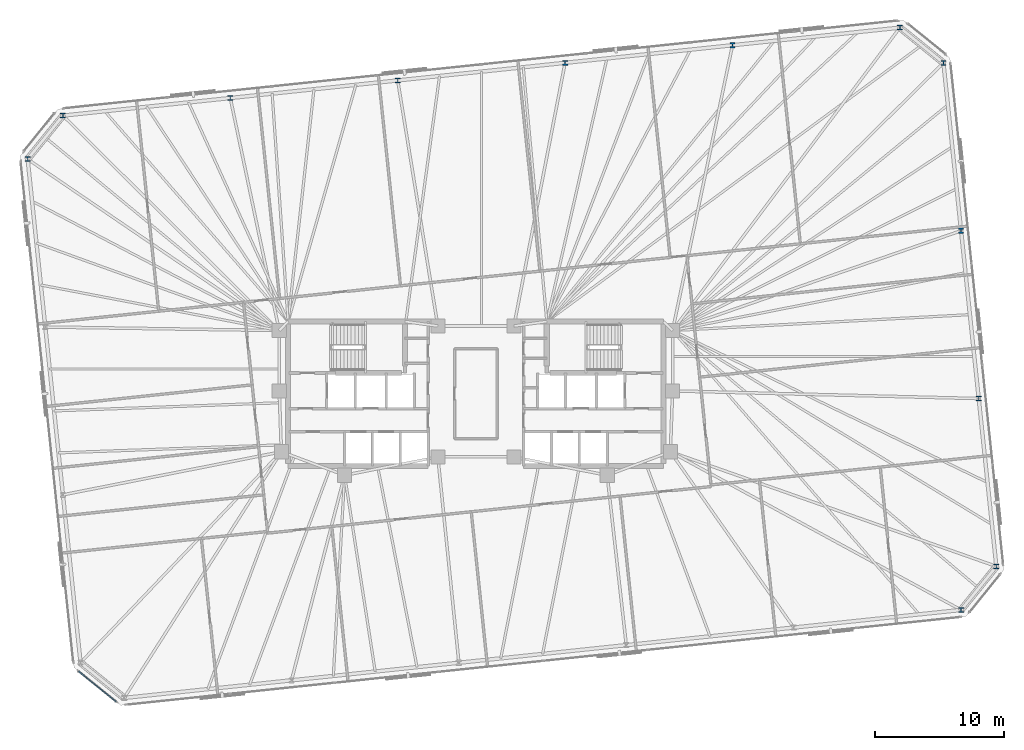
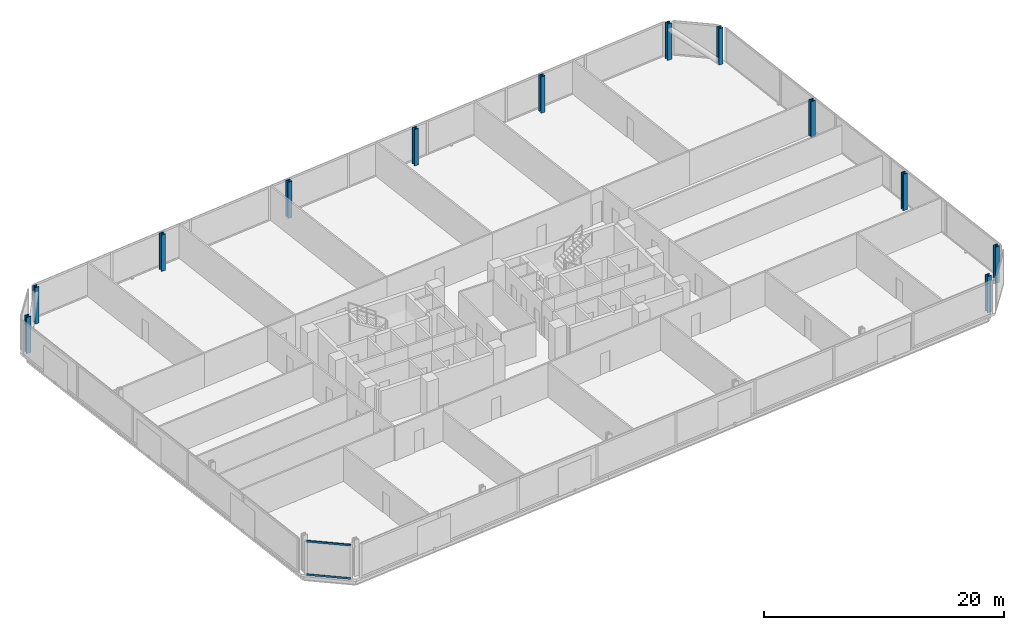
# One storey, part 5 of 18: 12 columns, 2 members, 1 element without a shape of its own.
"""IFC4 building model written with IfcOpenShell, lengths in metres."""

import ifcopenshell
import ifcopenshell.guid

model = None  # the IFC model being written
_history = None  # IfcOwnerHistory: only IFC2X3 demands one
_inside = {}  # id of a spatial element -> (the spatial element, [elements in it])
_under = {}  # id of a project, library or spatial element -> (it, [spatial elements below it])
_declared = {}  # id of a project -> (the project, [libraries it declares])
_typed = {}  # id of a type object -> (the type object, [elements of that type])
_made_of = {}  # id of a material, layer set ... -> (it, [elements and type objects made of it])


def new_model(schema):
    """Start an empty IFC model of exactly this schema.

    Asked for "IFC4X3", IfcOpenShell would pick the latest addendum, in which some entities
    have other attributes; the version numbers below select the first issue.
    IFC2X3 requires an IfcOwnerHistory on every rooted entity: one is made here for all.
    """
    global model, _history
    if schema == "IFC4X3":
        model = ifcopenshell.file(schema_version=(4, 3, 0, 0))
    else:
        model = ifcopenshell.file(schema=schema)
    _inside.clear()
    _under.clear()
    _declared.clear()
    _typed.clear()
    _made_of.clear()
    _history = None
    if model.schema == "IFC2X3":
        org = make("IfcOrganization", Name="unknown")
        user = make(
            "IfcPersonAndOrganization",
            ThePerson=make("IfcPerson", FamilyName="unknown"),
            TheOrganization=org,
        )
        app = make(
            "IfcApplication",
            ApplicationDeveloper=org,
            Version="unknown",
            ApplicationFullName="unknown",
            ApplicationIdentifier="unknown",
        )
        _history = make(
            "IfcOwnerHistory",
            OwningUser=user,
            OwningApplication=app,
            ChangeAction="ADDED",
            CreationDate=0,
        )
    return model


def make(cls, **values):
    """One entity of the class cls with the attributes given. An attribute that is None is left unset."""
    return model.create_entity(
        cls, **{name: value for name, value in values.items() if value is not None}
    )


def rooted(cls, **values):
    """An entity with a GlobalId (a new one), such as an element, a storey or a relation."""
    return make(cls, GlobalId=ifcopenshell.guid.new(), OwnerHistory=_history, **values)


def si_unit(unit_type, name, prefix=None):
    """IfcSIUnit, for example si_unit("LENGTHUNIT", "METRE", prefix="MILLI")."""
    return make("IfcSIUnit", UnitType=unit_type, Prefix=prefix, Name=name)


def assignment(units):
    """IfcUnitAssignment: the units of a project."""
    return None if units is None else make("IfcUnitAssignment", Units=units)


def point(xyz):
    """IfcCartesianPoint."""
    return None if xyz is None else make("IfcCartesianPoint", Coordinates=xyz)


def direction(xyz):
    """IfcDirection."""
    return None if xyz is None else make("IfcDirection", DirectionRatios=xyz)


def frame(location, z_axis=None, x_axis=None):
    """IfcAxis2Placement3D, a coordinate frame: its origin and axes. An axis left out is left unset."""
    return make(
        "IfcAxis2Placement3D",
        Location=point(location),
        Axis=direction(z_axis),
        RefDirection=direction(x_axis),
    )


def frame_2d(location, x_axis=None):
    """IfcAxis2Placement2D, a coordinate frame in the plane: its origin and x axis."""
    return make(
        "IfcAxis2Placement2D", Location=point(location), RefDirection=direction(x_axis)
    )


def origin():
    """The frame at (0, 0, 0) with its axes left unset."""
    return frame((0.0, 0.0, 0.0))


def origin_2d():
    """The frame at (0, 0) in the plane with its x axis left unset."""
    return frame_2d((0.0, 0.0))


def place(relative_to, where):
    """IfcLocalPlacement: puts the frame where relative to a parent placement (None: the world)."""
    return make(
        "IfcLocalPlacement", PlacementRelTo=relative_to, RelativePlacement=where
    )


def context(
    kind, dimensions, precision=None, world=None, true_north=None, identifier=None
):
    """IfcGeometricRepresentationContext, for example the 3D "Model" context."""
    return make(
        "IfcGeometricRepresentationContext",
        ContextIdentifier=identifier,
        ContextType=kind,
        CoordinateSpaceDimension=dimensions,
        Precision=precision,
        WorldCoordinateSystem=world,
        TrueNorth=true_north,
    )


def subcontext(parent, identifier, kind, view, scale=None):
    """IfcGeometricRepresentationSubContext, for example "Body" below "Model"."""
    return make(
        "IfcGeometricRepresentationSubContext",
        ContextIdentifier=identifier,
        ContextType=kind,
        ParentContext=parent,
        TargetScale=scale,
        TargetView=view,
    )


def project(units=None, contexts=None):
    """IfcProject with its units and contexts."""
    return rooted(
        "IfcProject",
        Name="project",
        RepresentationContexts=contexts,
        UnitsInContext=assignment(units),
    )


def spatial(cls, under=None, at=None, **own):
    """A site, building, storey or space (cls), placed at a placement, below another one or the project."""
    s = rooted(cls, ObjectPlacement=at, **own)
    if under is not None:
        _under.setdefault(under.id(), (under, []))[1].append(s)
    return s


def profile(cls, at=None, kind="AREA", **sizes):
    """A parametric profile (cls). Its sizes go by their IFC names, for example OverallWidth=200.0."""
    return make(cls, ProfileType=kind, Position=at, **sizes)


def rectangle(**sizes):
    """IfcRectangleProfileDef."""
    return profile("IfcRectangleProfileDef", **sizes)


def i_section(**sizes):
    """IfcIShapeProfileDef."""
    return profile("IfcIShapeProfileDef", **sizes)


def extrude(swept, where, along, depth):
    """IfcExtrudedAreaSolid: the profile swept, set in the frame where, extruded along a direction by depth."""
    return make(
        "IfcExtrudedAreaSolid",
        SweptArea=swept,
        Position=where,
        ExtrudedDirection=direction(along),
        Depth=depth,
    )


def shape(context_of_items, identifier, shape_type, items):
    """IfcShapeRepresentation: the items that make up one representation, for example the "Body"."""
    return make(
        "IfcShapeRepresentation",
        ContextOfItems=context_of_items,
        RepresentationIdentifier=identifier,
        RepresentationType=shape_type,
        Items=items,
    )


def material(Name=None, Category=None):
    """IfcMaterial."""
    return make("IfcMaterial", Name=Name, Category=Category)


def material_profile(
    of_material, cross_section, Name=None, Category=None, Priority=None
):
    """IfcMaterialProfile: a cross section and its material."""
    return make(
        "IfcMaterialProfile",
        Name=Name,
        Material=of_material,
        Profile=cross_section,
        Priority=Priority,
        Category=Category,
    )


def profile_set(profiles, Name=None, composite=None):
    """IfcMaterialProfileSet."""
    return make(
        "IfcMaterialProfileSet",
        Name=Name,
        MaterialProfiles=profiles,
        CompositeProfile=composite,
    )


def made_of(thing, what):
    """Note that an element or type object is made of a material, layer set ...; save() writes the relation."""
    if what is not None:
        _made_of.setdefault(what.id(), (what, []))[1].append(thing)
    return thing


def type_object(cls, material=None, **own):
    """A type object (cls), such as IfcWallType, which elements share."""
    return made_of(rooted(cls, **own), material)


def element(
    cls,
    number,
    at=None,
    inside=None,
    cuts=None,
    type_object=None,
    material=None,
    context=None,
    identifier="Body",
    shape_type=None,
    held_by="IfcProductDefinitionShape",
    body=None,
    shapes=None,
    **own,
):
    """One element of the class cls, such as IfcWall. Its Tag is "e" and its number.

    at: its placement. inside: the storey or other place that contains it. cuts: it is an
    opening in that element (IfcRelVoidsElement). A single representation is given by context,
    identifier, shape_type and body (its items); several are given by shapes. held_by: the class
    of the entity that holds the representations. save() writes the other relations.
    """
    e = rooted(cls, Tag="e%d" % number, ObjectPlacement=at, **own)
    if body is not None:
        shapes = [shape(context, identifier, shape_type, body)]
    if shapes is not None:
        e.Representation = make(held_by, Representations=shapes)
    if inside is not None:
        _inside.setdefault(inside.id(), (inside, []))[1].append(e)
    if cuts is not None:
        rooted(
            "IfcRelVoidsElement", RelatingBuildingElement=cuts, RelatedOpeningElement=e
        )
    if type_object is not None:
        _typed.setdefault(type_object.id(), (type_object, []))[1].append(e)
    return made_of(e, material)


def aggregate(whole, parts):
    """IfcRelAggregates: a whole, such as a stair, and the parts it consists of."""
    return rooted("IfcRelAggregates", RelatingObject=whole, RelatedObjects=parts)


def save(model, path):
    """Write the relations noted so far, then the file.

    IfcRelAggregates (storeys below a building ...), IfcRelContainedInSpatialStructure (elements
    in a storey), IfcRelDefinesByType, IfcRelAssociatesMaterial and IfcRelDeclares: one each for
    every whole, place, type object, material and project.
    """
    for whole, parts in _under.values():
        aggregate(whole, parts)
    for where, things in _inside.values():
        rooted(
            "IfcRelContainedInSpatialStructure",
            RelatedElements=things,
            RelatingStructure=where,
        )
    for kind, things in _typed.values():
        rooted("IfcRelDefinesByType", RelatedObjects=things, RelatingType=kind)
    for what, things in _made_of.values():
        rooted("IfcRelAssociatesMaterial", RelatedObjects=things, RelatingMaterial=what)
    for by, libraries in _declared.values():
        rooted("IfcRelDeclares", RelatingContext=by, RelatedDefinitions=libraries)
    model.write(path)


model = new_model("IFC4")

# Units and contexts
model_context = context("Model", 3, precision=1e-05, world=origin(), true_north=direction((0.0, 1.0)))
body_context = subcontext(model_context, "Body", "Model", "MODEL_VIEW")
ifc_project = project(units=[si_unit("LENGTHUNIT", "METRE"), si_unit("AREAUNIT", "SQUARE_METRE"), si_unit("VOLUMEUNIT", "CUBIC_METRE"), si_unit("PLANEANGLEUNIT", "RADIAN"), si_unit("MASSUNIT", "GRAM", prefix="KILO")], contexts=[model_context])

# Site, building, storey
site_placement = place(None, origin())
site = spatial("IfcSite", under=ifc_project, at=site_placement, CompositionType="ELEMENT")
building_placement = place(site_placement, origin())
building = spatial("IfcBuilding", under=site, at=building_placement, Name="Menara Jurai Vektor", CompositionType="ELEMENT")
storey_placement = place(building_placement, frame((0.0, 0.0, 98.5)))
storey = spatial("IfcBuildingStorey", under=building, at=storey_placement, Name="L24", CompositionType="ELEMENT", Elevation=98.5)

# Columns
ifc_material_1 = material(Name="Steel S460", Category="steel")
ifc_material_profile_1 = material_profile(ifc_material_1, i_section(OverallWidth=0.4130859375, OverallDepth=0.39794921875, WebThickness=0.055908203125, FlangeThickness=0.089111328125, FilletRadius=0.014892578125, at=origin_2d()), Name="HD 400x744")
ifc_profile_set_1 = profile_set([ifc_material_profile_1], Name="Steel S460")
column_type = type_object("IfcColumnType", Name="STR-EXO-BLK2", PredefinedType="COLUMN", material=ifc_profile_set_1)
for number, where, z_axis, x_axis, name in (
    (1, (37.621826171875, -16.76513671875, 0.0), (0.0, 0.0, 1.0), (1.0, 0.0, 0.0), "Exoskeleton Column BLK2-S6 L24"),
    (2, (40.356201171875, -13.388671875, 0.0), (0.0, 0.0, 1.0), (1.0, 0.0, 0.0), "Exoskeleton Column BLK2-E1 L24"),
    (3, (38.98828125, -0.375, 0.0), (0.0, 0.0, 1.0), (1.0, 0.0, 0.0), "Exoskeleton Column BLK2-E2 L24"),
    (4, (37.62060546875, 12.638427734375, 0.0), (0.0, 0.0, 1.0), (1.0, 0.0, 0.0), "Exoskeleton Column BLK2-E3 L24"),
    (5, (36.252685546875, 25.65185546875, 0.0), (0.0, 0.0, 1.0), (1.0, 0.0, 0.0), "Exoskeleton Column BLK2-E4 L24"),
    (6, (32.876220703125, 28.38623046875, 0.0), (0.0, 0.0, 1.0), (1.0, 0.0, 0.0), "Exoskeleton Column BLK2-N1 L24"),
    (7, (19.896728515625, 27.02197265625, 0.0), (0.0, 0.0, 1.0), (1.0, 0.0, 0.0), "Exoskeleton Column BLK2-N2 L24"),
    (8, (6.9169921875, 25.65771484375, 0.0), (0.0, 0.0, 1.0), (1.0, 0.0, 0.0), "Exoskeleton Column BLK2-N3 L24"),
    (9, (-6.0625, 24.29345703125, 0.0), (0.0, 0.0, 1.0), (1.0, 0.0, 0.0), "Exoskeleton Column BLK2-N4 L24"),
    (10, (-19.042236328125, 22.929443359375, 0.0), (0.0, 0.0, 1.0), (1.0, 0.0, 0.0), "Exoskeleton Column BLK2-N5 L24"),
    (11, (-32.02197265625, 21.565185546875, 0.0), (0.0, 0.0, 1.0), (1.0, 0.0, 0.0), "Exoskeleton Column BLK2-N6 L24"),
    (12, (-34.756103515625, 18.188720703125, 0.0), (0.0, 0.0, 1.0), (1.0, 0.0, 0.0), "Exoskeleton Column BLK2-W1 L24"),
):
    element("IfcColumn", number, at=place(storey_placement, frame(where, z_axis=z_axis, x_axis=x_axis)), inside=storey, type_object=column_type, Name=name, PredefinedType="COLUMN", context=body_context, shape_type="SweptSolid", body=[
        extrude(i_section(OverallWidth=0.4130859375, OverallDepth=0.39794921875, WebThickness=0.055908203125, FlangeThickness=0.089111328125, FilletRadius=0.014892578125, at=origin_2d()), origin(), (0.0, 0.0, 1.0), 3.699951171875),
    ])

# Curtain wall, members
ifc_material_2 = material(Name="Anodised Pale Aluminium & Low-E Double Glazing", Category="aluminium")
curtain_wall_type = type_object("IfcCurtainWallType", Name="CW-BLK2", PredefinedType="NOTDEFINED", material=ifc_material_2)
curtain_wall_placement = place(storey_placement, origin())
curtain_wall = element("IfcCurtainWall", 13, at=curtain_wall_placement, inside=storey, type_object=curtain_wall_type, Name="Unitised Curtain Wall L24 F08", PredefinedType="NOTDEFINED")
ifc_material_3 = material(Name="Anodised Pale Aluminium Transom", Category="aluminium")
ifc_material_profile_2 = material_profile(ifc_material_3, rectangle(XDim=0.090087890625, YDim=0.18505859375, at=origin_2d()), Name="ALU TRN 90x185")
ifc_profile_set_2 = profile_set([ifc_material_profile_2], Name="Anodised Pale Aluminium Transom")
member_type = type_object("IfcMemberType", Name="CW-BLK2-TRN", PredefinedType="USERDEFINED", material=ifc_profile_set_2)
member_1_placement = place(storey_placement, frame((-30.80078125, -21.525634765625, 0.044921875), z_axis=(0.777128916205, -0.6293414396, 0.0), x_axis=(0.6293414396, 0.777128916205, 0.0)))
member_1 = element("IfcMember", 14, at=member_1_placement, type_object=member_type, Name="CW-02 transom 1.1", ObjectType="TRANSOM", PredefinedType="USERDEFINED", context=body_context, shape_type="SweptSolid", body=[
    extrude(rectangle(XDim=0.090087890625, YDim=0.18505859375, at=origin_2d()), origin(), (0.0, 0.0, 1.0), 3.726806640625),
])
member_2_placement = place(storey_placement, frame((-30.80078125, -21.525634765625, 3.429931640625), z_axis=(0.777128916205, -0.6293414396, 0.0), x_axis=(0.6293414396, 0.777128916205, 0.0)))
member_2 = element("IfcMember", 15, at=member_2_placement, type_object=member_type, Name="CW-02 transom 1.2", ObjectType="TRANSOM", PredefinedType="USERDEFINED", context=body_context, shape_type="SweptSolid", body=[
    extrude(rectangle(XDim=0.090087890625, YDim=0.18505859375, at=origin_2d()), origin(), (0.0, 0.0, 1.0), 3.726806640625),
])
aggregate(curtain_wall, [member_1, member_2])

save(model, "model.ifc")
